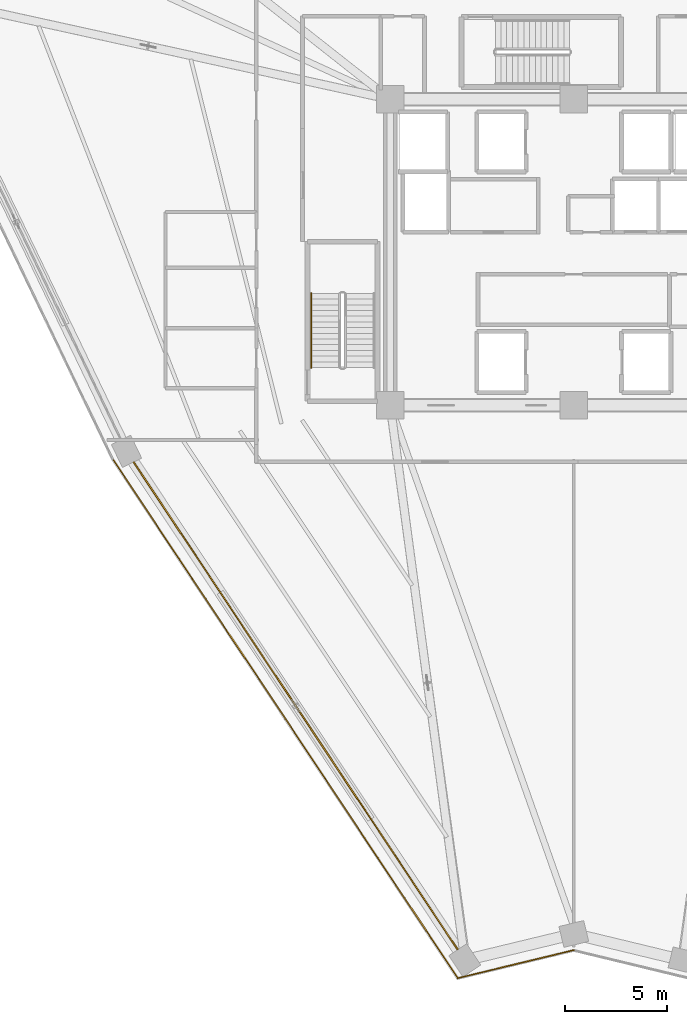
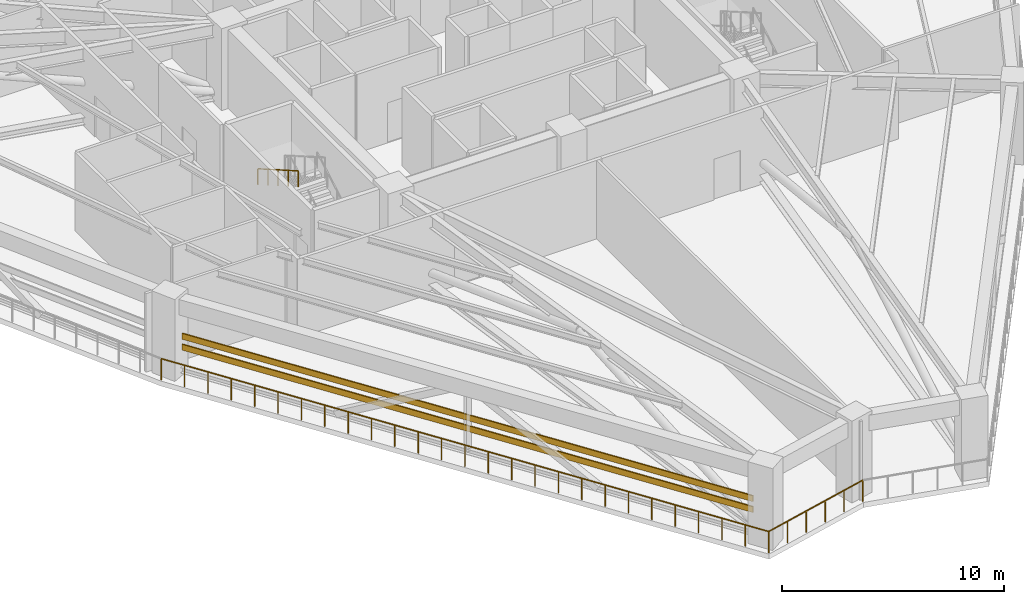
# One storey, part 18 of 25: 3 railings, 2 shading devices.
"""IFC4 building model written with IfcOpenShell, lengths in metres."""

import ifcopenshell
import ifcopenshell.guid

model = None  # the IFC model being written
_history = None  # IfcOwnerHistory: only IFC2X3 demands one
_inside = {}  # id of a spatial element -> (the spatial element, [elements in it])
_under = {}  # id of a project, library or spatial element -> (it, [spatial elements below it])
_declared = {}  # id of a project -> (the project, [libraries it declares])
_typed = {}  # id of a type object -> (the type object, [elements of that type])
_made_of = {}  # id of a material, layer set ... -> (it, [elements and type objects made of it])


def new_model(schema):
    """Start an empty IFC model of exactly this schema.

    Asked for "IFC4X3", IfcOpenShell would pick the latest addendum, in which some entities
    have other attributes; the version numbers below select the first issue.
    IFC2X3 requires an IfcOwnerHistory on every rooted entity: one is made here for all.
    """
    global model, _history
    if schema == "IFC4X3":
        model = ifcopenshell.file(schema_version=(4, 3, 0, 0))
    else:
        model = ifcopenshell.file(schema=schema)
    _inside.clear()
    _under.clear()
    _declared.clear()
    _typed.clear()
    _made_of.clear()
    _history = None
    if model.schema == "IFC2X3":
        org = make("IfcOrganization", Name="unknown")
        user = make(
            "IfcPersonAndOrganization",
            ThePerson=make("IfcPerson", FamilyName="unknown"),
            TheOrganization=org,
        )
        app = make(
            "IfcApplication",
            ApplicationDeveloper=org,
            Version="unknown",
            ApplicationFullName="unknown",
            ApplicationIdentifier="unknown",
        )
        _history = make(
            "IfcOwnerHistory",
            OwningUser=user,
            OwningApplication=app,
            ChangeAction="ADDED",
            CreationDate=0,
        )
    return model


def make(cls, **values):
    """One entity of the class cls with the attributes given. An attribute that is None is left unset."""
    return model.create_entity(
        cls, **{name: value for name, value in values.items() if value is not None}
    )


def rooted(cls, **values):
    """An entity with a GlobalId (a new one), such as an element, a storey or a relation."""
    return make(cls, GlobalId=ifcopenshell.guid.new(), OwnerHistory=_history, **values)


def si_unit(unit_type, name, prefix=None):
    """IfcSIUnit, for example si_unit("LENGTHUNIT", "METRE", prefix="MILLI")."""
    return make("IfcSIUnit", UnitType=unit_type, Prefix=prefix, Name=name)


def assignment(units):
    """IfcUnitAssignment: the units of a project."""
    return None if units is None else make("IfcUnitAssignment", Units=units)


def point(xyz):
    """IfcCartesianPoint."""
    return None if xyz is None else make("IfcCartesianPoint", Coordinates=xyz)


def direction(xyz):
    """IfcDirection."""
    return None if xyz is None else make("IfcDirection", DirectionRatios=xyz)


def frame(location, z_axis=None, x_axis=None):
    """IfcAxis2Placement3D, a coordinate frame: its origin and axes. An axis left out is left unset."""
    return make(
        "IfcAxis2Placement3D",
        Location=point(location),
        Axis=direction(z_axis),
        RefDirection=direction(x_axis),
    )


def frame_2d(location, x_axis=None):
    """IfcAxis2Placement2D, a coordinate frame in the plane: its origin and x axis."""
    return make(
        "IfcAxis2Placement2D", Location=point(location), RefDirection=direction(x_axis)
    )


def origin():
    """The frame at (0, 0, 0) with its axes left unset."""
    return frame((0.0, 0.0, 0.0))


def origin_2d():
    """The frame at (0, 0) in the plane with its x axis left unset."""
    return frame_2d((0.0, 0.0))


def place(relative_to, where):
    """IfcLocalPlacement: puts the frame where relative to a parent placement (None: the world)."""
    return make(
        "IfcLocalPlacement", PlacementRelTo=relative_to, RelativePlacement=where
    )


def context(
    kind, dimensions, precision=None, world=None, true_north=None, identifier=None
):
    """IfcGeometricRepresentationContext, for example the 3D "Model" context."""
    return make(
        "IfcGeometricRepresentationContext",
        ContextIdentifier=identifier,
        ContextType=kind,
        CoordinateSpaceDimension=dimensions,
        Precision=precision,
        WorldCoordinateSystem=world,
        TrueNorth=true_north,
    )


def subcontext(parent, identifier, kind, view, scale=None):
    """IfcGeometricRepresentationSubContext, for example "Body" below "Model"."""
    return make(
        "IfcGeometricRepresentationSubContext",
        ContextIdentifier=identifier,
        ContextType=kind,
        ParentContext=parent,
        TargetScale=scale,
        TargetView=view,
    )


def project(units=None, contexts=None):
    """IfcProject with its units and contexts."""
    return rooted(
        "IfcProject",
        Name="project",
        RepresentationContexts=contexts,
        UnitsInContext=assignment(units),
    )


def spatial(cls, under=None, at=None, **own):
    """A site, building, storey or space (cls), placed at a placement, below another one or the project."""
    s = rooted(cls, ObjectPlacement=at, **own)
    if under is not None:
        _under.setdefault(under.id(), (under, []))[1].append(s)
    return s


def profile(cls, at=None, kind="AREA", **sizes):
    """A parametric profile (cls). Its sizes go by their IFC names, for example OverallWidth=200.0."""
    return make(cls, ProfileType=kind, Position=at, **sizes)


def rectangle(**sizes):
    """IfcRectangleProfileDef."""
    return profile("IfcRectangleProfileDef", **sizes)


def extrude(swept, where, along, depth):
    """IfcExtrudedAreaSolid: the profile swept, set in the frame where, extruded along a direction by depth."""
    return make(
        "IfcExtrudedAreaSolid",
        SweptArea=swept,
        Position=where,
        ExtrudedDirection=direction(along),
        Depth=depth,
    )


def shape(context_of_items, identifier, shape_type, items):
    """IfcShapeRepresentation: the items that make up one representation, for example the "Body"."""
    return make(
        "IfcShapeRepresentation",
        ContextOfItems=context_of_items,
        RepresentationIdentifier=identifier,
        RepresentationType=shape_type,
        Items=items,
    )


def source(mapping_origin, context_of_items, identifier, shape_type, items):
    """IfcRepresentationMap: a shape defined once, which mapped items show again and again."""
    return make(
        "IfcRepresentationMap",
        MappingOrigin=mapping_origin,
        MappedRepresentation=shape(context_of_items, identifier, shape_type, items),
    )


def transform(
    local_origin,
    x_axis=None,
    y_axis=None,
    z_axis=None,
    scale=None,
    scale2=None,
    scale3=None,
    uniform=True,
):
    """IfcCartesianTransformationOperator3D, or its non-uniform kind. x_axis, y_axis, z_axis: its Axis1, 2, 3."""
    if uniform:
        return make(
            "IfcCartesianTransformationOperator3D",
            Axis1=direction(x_axis),
            Axis2=direction(y_axis),
            LocalOrigin=point(local_origin),
            Scale=scale,
            Axis3=direction(z_axis),
        )
    return make(
        "IfcCartesianTransformationOperator3DnonUniform",
        Axis1=direction(x_axis),
        Axis2=direction(y_axis),
        LocalOrigin=point(local_origin),
        Scale=scale,
        Axis3=direction(z_axis),
        Scale2=scale2,
        Scale3=scale3,
    )


def mapped(mapping_source, mapping_target):
    """IfcMappedItem: shows the shape of a source again, moved by a transform."""
    return make(
        "IfcMappedItem", MappingSource=mapping_source, MappingTarget=mapping_target
    )


def material(Name=None, Category=None):
    """IfcMaterial."""
    return make("IfcMaterial", Name=Name, Category=Category)


def material_profile(
    of_material, cross_section, Name=None, Category=None, Priority=None
):
    """IfcMaterialProfile: a cross section and its material."""
    return make(
        "IfcMaterialProfile",
        Name=Name,
        Material=of_material,
        Profile=cross_section,
        Priority=Priority,
        Category=Category,
    )


def profile_set(profiles, Name=None, composite=None):
    """IfcMaterialProfileSet."""
    return make(
        "IfcMaterialProfileSet",
        Name=Name,
        MaterialProfiles=profiles,
        CompositeProfile=composite,
    )


def made_of(thing, what):
    """Note that an element or type object is made of a material, layer set ...; save() writes the relation."""
    if what is not None:
        _made_of.setdefault(what.id(), (what, []))[1].append(thing)
    return thing


def type_object(cls, material=None, **own):
    """A type object (cls), such as IfcWallType, which elements share."""
    return made_of(rooted(cls, **own), material)


def element(
    cls,
    number,
    at=None,
    inside=None,
    cuts=None,
    type_object=None,
    material=None,
    context=None,
    identifier="Body",
    shape_type=None,
    held_by="IfcProductDefinitionShape",
    body=None,
    shapes=None,
    **own,
):
    """One element of the class cls, such as IfcWall. Its Tag is "e" and its number.

    at: its placement. inside: the storey or other place that contains it. cuts: it is an
    opening in that element (IfcRelVoidsElement). A single representation is given by context,
    identifier, shape_type and body (its items); several are given by shapes. held_by: the class
    of the entity that holds the representations. save() writes the other relations.
    """
    e = rooted(cls, Tag="e%d" % number, ObjectPlacement=at, **own)
    if body is not None:
        shapes = [shape(context, identifier, shape_type, body)]
    if shapes is not None:
        e.Representation = make(held_by, Representations=shapes)
    if inside is not None:
        _inside.setdefault(inside.id(), (inside, []))[1].append(e)
    if cuts is not None:
        rooted(
            "IfcRelVoidsElement", RelatingBuildingElement=cuts, RelatedOpeningElement=e
        )
    if type_object is not None:
        _typed.setdefault(type_object.id(), (type_object, []))[1].append(e)
    return made_of(e, material)


def aggregate(whole, parts):
    """IfcRelAggregates: a whole, such as a stair, and the parts it consists of."""
    return rooted("IfcRelAggregates", RelatingObject=whole, RelatedObjects=parts)


def save(model, path):
    """Write the relations noted so far, then the file.

    IfcRelAggregates (storeys below a building ...), IfcRelContainedInSpatialStructure (elements
    in a storey), IfcRelDefinesByType, IfcRelAssociatesMaterial and IfcRelDeclares: one each for
    every whole, place, type object, material and project.
    """
    for whole, parts in _under.values():
        aggregate(whole, parts)
    for where, things in _inside.values():
        rooted(
            "IfcRelContainedInSpatialStructure",
            RelatedElements=things,
            RelatingStructure=where,
        )
    for kind, things in _typed.values():
        rooted("IfcRelDefinesByType", RelatedObjects=things, RelatingType=kind)
    for what, things in _made_of.values():
        rooted("IfcRelAssociatesMaterial", RelatedObjects=things, RelatingMaterial=what)
    for by, libraries in _declared.values():
        rooted("IfcRelDeclares", RelatingContext=by, RelatedDefinitions=libraries)
    model.write(path)


model = new_model("IFC4")

# Units and contexts
model_context = context("Model", 3, precision=1e-05, world=origin(), true_north=direction((0.0, 1.0)))
body_context = subcontext(model_context, "Body", "Model", "MODEL_VIEW")
ifc_project = project(units=[si_unit("LENGTHUNIT", "METRE"), si_unit("AREAUNIT", "SQUARE_METRE"), si_unit("VOLUMEUNIT", "CUBIC_METRE"), si_unit("PLANEANGLEUNIT", "RADIAN"), si_unit("MASSUNIT", "GRAM", prefix="KILO")], contexts=[model_context])

# Site, building, storey
site_placement = place(None, origin())
site = spatial("IfcSite", under=ifc_project, at=site_placement, CompositionType="ELEMENT")
building_placement = place(site_placement, origin())
building = spatial("IfcBuilding", under=site, at=building_placement, Name="Liaohun Quay Tower", CompositionType="ELEMENT")
storey_placement = place(building_placement, frame((0.0, 0.0, 231.75)))
storey = spatial("IfcBuildingStorey", under=building, at=storey_placement, Name="L60", CompositionType="ELEMENT", Elevation=231.75)

# Railings
ifc_material_1 = material(Name="Galvanised and powder-coated steel", Category="steel")
railing_type_1 = type_object("IfcRailingType", Name="RLG-GUARD-EXT", PredefinedType="GUARDRAIL", material=ifc_material_1)
railing_1_placement = place(storey_placement, frame((54.31103515625, 18.4189453125, 0.0)))
element("IfcRailing", 1, at=railing_1_placement, inside=storey, type_object=railing_type_1, Name="L60 Open Refuge Band Perimeter Guardrail 01", PredefinedType="GUARDRAIL", context=body_context, shape_type="SweptSolid", body=[
    extrude(rectangle(XDim=0.048095703125, YDim=0.048095703125, at=origin_2d()), frame((0.0, 0.0, 1.17578125), z_axis=(-0.553515747693, 0.832838710109, 0.0), x_axis=(-0.832838710109, -0.553515747693, 0.0)), (0.0, 0.0, 1.0), 30.55224609375),
    extrude(rectangle(XDim=0.0419921875, YDim=0.0419921875, at=origin_2d()), origin(), (0.0, 0.0, 1.0), 1.15185546875),
    extrude(rectangle(XDim=0.0419921875, YDim=0.0419921875, at=origin_2d()), frame((-0.650390625, 0.978759765625, 0.0)), (0.0, 0.0, 1.0), 1.15185546875),
    extrude(rectangle(XDim=0.0419921875, YDim=0.0419921875, at=origin_2d()), frame((-1.30078125, 1.957275390625, 0.0)), (0.0, 0.0, 1.0), 1.15185546875),
    extrude(rectangle(XDim=0.0419921875, YDim=0.0419921875, at=origin_2d()), frame((-1.951171875, 2.93603515625, 0.0)), (0.0, 0.0, 1.0), 1.15185546875),
    extrude(rectangle(XDim=0.0419921875, YDim=0.0419921875, at=origin_2d()), frame((-2.601806640625, 3.91455078125, 0.0)), (0.0, 0.0, 1.0), 1.15185546875),
    extrude(rectangle(XDim=0.0419921875, YDim=0.0419921875, at=origin_2d()), frame((-3.252197265625, 4.893310546875, 0.0)), (0.0, 0.0, 1.0), 1.15185546875),
    extrude(rectangle(XDim=0.0419921875, YDim=0.0419921875, at=origin_2d()), frame((-3.902587890625, 5.871826171875, 0.0)), (0.0, 0.0, 1.0), 1.15185546875),
    extrude(rectangle(XDim=0.0419921875, YDim=0.0419921875, at=origin_2d()), frame((-4.552978515625, 6.8505859375, 0.0)), (0.0, 0.0, 1.0), 1.15185546875),
    extrude(rectangle(XDim=0.0419921875, YDim=0.0419921875, at=origin_2d()), frame((-5.203369140625, 7.829345703125, 0.0)), (0.0, 0.0, 1.0), 1.15185546875),
    extrude(rectangle(XDim=0.0419921875, YDim=0.0419921875, at=origin_2d()), frame((-5.853759765625, 8.807861328125, 0.0)), (0.0, 0.0, 1.0), 1.15185546875),
    extrude(rectangle(XDim=0.0419921875, YDim=0.0419921875, at=origin_2d()), frame((-6.50439453125, 9.78662109375, 0.0)), (0.0, 0.0, 1.0), 1.15185546875),
    extrude(rectangle(XDim=0.0419921875, YDim=0.0419921875, at=origin_2d()), frame((-7.15478515625, 10.76513671875, 0.0)), (0.0, 0.0, 1.0), 1.15185546875),
    extrude(rectangle(XDim=0.0419921875, YDim=0.0419921875, at=origin_2d()), frame((-7.80517578125, 11.743896484375, 0.0)), (0.0, 0.0, 1.0), 1.15185546875),
    extrude(rectangle(XDim=0.0419921875, YDim=0.0419921875, at=origin_2d()), frame((-8.45556640625, 12.72265625, 0.0)), (0.0, 0.0, 1.0), 1.15185546875),
    extrude(rectangle(XDim=0.0419921875, YDim=0.0419921875, at=origin_2d()), frame((-9.10595703125, 13.701171875, 0.0)), (0.0, 0.0, 1.0), 1.15185546875),
    extrude(rectangle(XDim=0.0419921875, YDim=0.0419921875, at=origin_2d()), frame((-9.75634765625, 14.679931640625, 0.0)), (0.0, 0.0, 1.0), 1.15185546875),
    extrude(rectangle(XDim=0.0419921875, YDim=0.0419921875, at=origin_2d()), frame((-10.40673828125, 15.658447265625, 0.0)), (0.0, 0.0, 1.0), 1.15185546875),
    extrude(rectangle(XDim=0.0419921875, YDim=0.0419921875, at=origin_2d()), frame((-11.057373046875, 16.63720703125, 0.0)), (0.0, 0.0, 1.0), 1.15185546875),
    extrude(rectangle(XDim=0.0419921875, YDim=0.0419921875, at=origin_2d()), frame((-11.707763671875, 17.61572265625, 0.0)), (0.0, 0.0, 1.0), 1.15185546875),
    extrude(rectangle(XDim=0.0419921875, YDim=0.0419921875, at=origin_2d()), frame((-12.358154296875, 18.594482421875, 0.0)), (0.0, 0.0, 1.0), 1.15185546875),
    extrude(rectangle(XDim=0.0419921875, YDim=0.0419921875, at=origin_2d()), frame((-13.008544921875, 19.5732421875, 0.0)), (0.0, 0.0, 1.0), 1.15185546875),
    extrude(rectangle(XDim=0.0419921875, YDim=0.0419921875, at=origin_2d()), frame((-13.658935546875, 20.5517578125, 0.0)), (0.0, 0.0, 1.0), 1.15185546875),
    extrude(rectangle(XDim=0.0419921875, YDim=0.0419921875, at=origin_2d()), frame((-14.309326171875, 21.530517578125, 0.0)), (0.0, 0.0, 1.0), 1.15185546875),
    extrude(rectangle(XDim=0.0419921875, YDim=0.0419921875, at=origin_2d()), frame((-14.9599609375, 22.509033203125, 0.0)), (0.0, 0.0, 1.0), 1.15185546875),
    extrude(rectangle(XDim=0.0419921875, YDim=0.0419921875, at=origin_2d()), frame((-15.6103515625, 23.48779296875, 0.0)), (0.0, 0.0, 1.0), 1.15185546875),
    extrude(rectangle(XDim=0.0419921875, YDim=0.0419921875, at=origin_2d()), frame((-16.2607421875, 24.46630859375, 0.0)), (0.0, 0.0, 1.0), 1.15185546875),
    extrude(rectangle(XDim=0.0419921875, YDim=0.0419921875, at=origin_2d()), frame((-16.9111328125, 25.445068359375, 0.0)), (0.0, 0.0, 1.0), 1.15185546875),
])
railing_2_placement = place(storey_placement, frame((60.0, 19.79296875, 0.0)))
element("IfcRailing", 2, at=railing_2_placement, inside=storey, type_object=railing_type_1, Name="L60 Open Refuge Band Perimeter Guardrail 12", PredefinedType="GUARDRAIL", context=body_context, shape_type="SweptSolid", body=[
    extrude(rectangle(XDim=0.048095703125, YDim=0.048095703125, at=origin_2d()), frame((0.0, 0.0, 1.17578125), z_axis=(-0.972050045851, -0.234773738651, 0.0), x_axis=(0.234773738651, -0.972050045851, 0.0)), (0.0, 0.0, 1.0), 5.8525390625),
    extrude(rectangle(XDim=0.0419921875, YDim=0.0419921875, at=origin_2d()), origin(), (0.0, 0.0, 1.0), 1.15185546875),
    extrude(rectangle(XDim=0.0419921875, YDim=0.0419921875, at=origin_2d()), frame((-1.1376953125, -0.27490234375, 0.0)), (0.0, 0.0, 1.0), 1.15185546875),
    extrude(rectangle(XDim=0.0419921875, YDim=0.0419921875, at=origin_2d()), frame((-2.275634765625, -0.549560546875, 0.0)), (0.0, 0.0, 1.0), 1.15185546875),
    extrude(rectangle(XDim=0.0419921875, YDim=0.0419921875, at=origin_2d()), frame((-3.413330078125, -0.824462890625, 0.0)), (0.0, 0.0, 1.0), 1.15185546875),
    extrude(rectangle(XDim=0.0419921875, YDim=0.0419921875, at=origin_2d()), frame((-4.55126953125, -1.09912109375, 0.0)), (0.0, 0.0, 1.0), 1.15185546875),
    extrude(rectangle(XDim=0.0419921875, YDim=0.0419921875, at=origin_2d()), frame((-5.68896484375, -1.3740234375, 0.0)), (0.0, 0.0, 1.0), 1.15185546875),
])
ifc_material_2 = material(Name="Brushed stainless steel", Category="steel")
railing_type_2 = type_object("IfcRailingType", Name="RLG-HND-STR", PredefinedType="HANDRAIL", material=ifc_material_2)
railing_3_placement = place(storey_placement, frame((47.1201171875, 51.989990234375, 2.41064453125)))
element("IfcRailing", 3, at=railing_3_placement, inside=storey, type_object=railing_type_2, Name="L60 ST-1 stair handrail 2", PredefinedType="HANDRAIL", context=body_context, shape_type="SweptSolid", body=[
    extrude(rectangle(XDim=0.048095703125, YDim=0.048095703125, at=origin_2d()), frame((0.0, 0.0, 0.8759765625), z_axis=(0.0, -0.8672749571, 0.497829437445), x_axis=(1.0, 0.0, 0.0)), (0.0, 0.0, 1.0), 4.197021484375),
    extrude(rectangle(XDim=0.0419921875, YDim=0.0419921875, at=origin_2d()), origin(), (0.0, 0.0, 1.0), 0.851806640625),
    extrude(rectangle(XDim=0.0419921875, YDim=0.0419921875, at=origin_2d()), frame((0.0, -0.909912109375, 0.5224609375)), (0.0, 0.0, 1.0), 0.851806640625),
    extrude(rectangle(XDim=0.0419921875, YDim=0.0419921875, at=origin_2d()), frame((0.0, -1.81982421875, 1.044677734375)), (0.0, 0.0, 1.0), 0.851806640625),
    extrude(rectangle(XDim=0.0419921875, YDim=0.0419921875, at=origin_2d()), frame((0.0, -2.72998046875, 1.56689453125)), (0.0, 0.0, 1.0), 0.851806640625),
    extrude(rectangle(XDim=0.0419921875, YDim=0.0419921875, at=origin_2d()), frame((0.0, -3.639892578125, 2.08935546875)), (0.0, 0.0, 1.0), 0.851806640625),
])

# Shading devices
ifc_material_3 = material(Name="Fluorocarbon-coated aluminium", Category="aluminium")
ifc_material_profile = material_profile(ifc_material_3, rectangle(XDim=0.06494140625, YDim=0.320068359375, at=origin_2d()), Name="ALU-LVR-320x65")
ifc_profile_set = profile_set([ifc_material_profile], Name="Fluorocarbon-coated aluminium")
shading_device_type = type_object("IfcShadingDeviceType", Name="SHD-LVR-REF", PredefinedType="USERDEFINED", material=ifc_profile_set)
shared_shape = source(origin(), body_context, "Body", "SweptSolid", [
    extrude(rectangle(XDim=0.06494140625, YDim=0.320068359375, at=origin_2d()), origin(), (0.0, 0.0, 1.0), 28.72998046875),
])
for number, where, z_axis, x_axis, name in (
    (4, (54.31396484375, 19.805908203125, 1.550048828125), (-0.553536766221, 0.832824740532, 0.0), (-0.832824740532, -0.553536766221, 0.0), "L60 Refuge Plant Acoustic Louvre Blade LV-1-01"),
    (5, (54.31396484375, 19.805908203125, 2.14990234375), (-0.553536766221, 0.832824740532, 0.0), (-0.832824740532, -0.553536766221, 0.0), "L60 Refuge Plant Acoustic Louvre Blade LV-1-02"),
):
    element("IfcShadingDevice", number, at=place(storey_placement, frame(where, z_axis=z_axis, x_axis=x_axis)), inside=storey, type_object=shading_device_type, Name=name, ObjectType="LOUVRE", PredefinedType="USERDEFINED", context=body_context, shape_type="MappedRepresentation", body=[
        mapped(shared_shape, transform((0.0, 0.0, 0.0), x_axis=(1.0, 0.0, 0.0), y_axis=(0.0, 1.0, 0.0), z_axis=(0.0, 0.0, 1.0), scale=1.0)),
    ])

save(model, "model.ifc")
